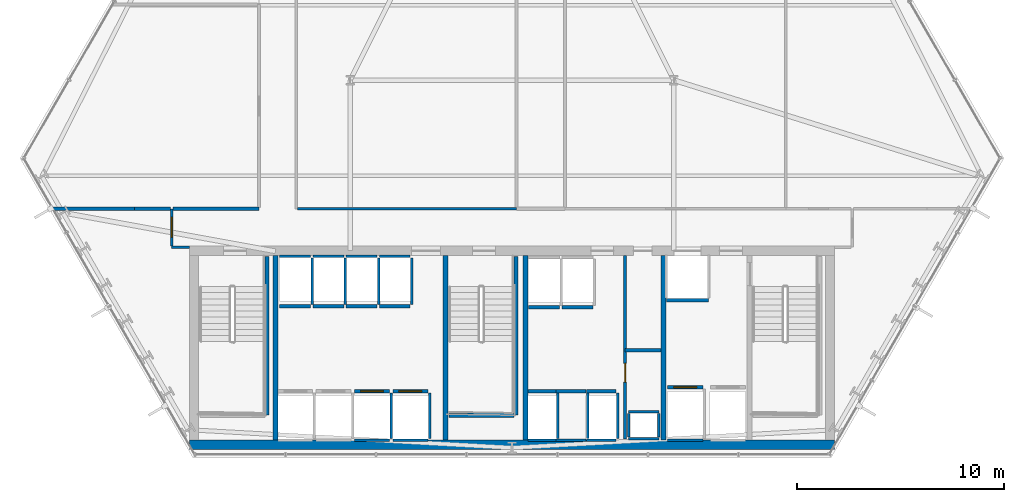
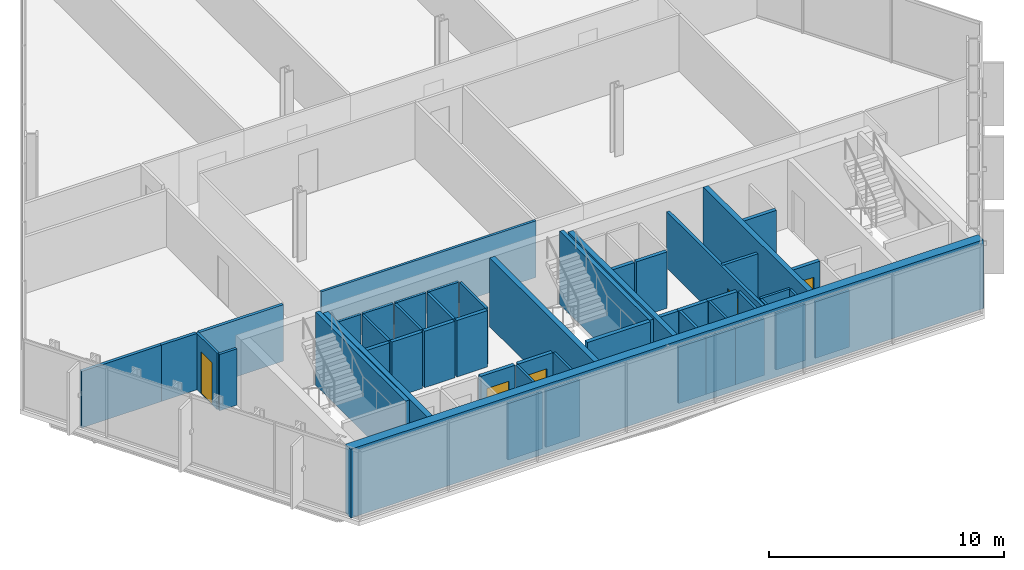
# One storey, part 27 of 33: 52 walls, 5 doors, 5 openings.
"""IFC4 building model written with IfcOpenShell, lengths in metres."""

from ifc_helpers import new_model, si_unit, direction, frame, frame_2d, origin, place, context, subcontext, project, spatial, rectangle, extrude, material, layer, layer_set, type_object, element, fill, save


model = new_model("IFC4")

# Units and contexts
model_context = context("Model", 3, precision=1e-05, world=origin(), true_north=direction((0.0, 1.0)))
body_context = subcontext(model_context, "Body", "Model", "MODEL_VIEW")
ifc_project = project(units=[si_unit("LENGTHUNIT", "METRE"), si_unit("AREAUNIT", "SQUARE_METRE"), si_unit("VOLUMEUNIT", "CUBIC_METRE"), si_unit("PLANEANGLEUNIT", "RADIAN"), si_unit("MASSUNIT", "GRAM", prefix="KILO")], contexts=[model_context])

# Site, building, storey
site_placement = place(None, origin())
site = spatial("IfcSite", under=ifc_project, at=site_placement, CompositionType="ELEMENT")
building_placement = place(site_placement, origin())
building = spatial("IfcBuilding", under=site, at=building_placement, Name="Ndaravel Arena Tower", CompositionType="ELEMENT")
storey_placement = place(building_placement, frame((0.0, 0.0, 36.0)))
storey = spatial("IfcBuildingStorey", under=building, at=storey_placement, Name="L06", CompositionType="ELEMENT", Elevation=36.0)

# Wall, opening, door
ifc_material_1 = material(Name="Gypsum", Category="gypsum")
ifc_layer_1 = layer(ifc_material_1, 0.14990234375)
ifc_layer_set_1 = layer_set([ifc_layer_1], Name="Gypsum")
wall_type_1 = type_object("IfcWallType", Name="WALL-COMP-150", PredefinedType="PARTITIONING", material=ifc_layer_set_1)
wall_1_placement = place(storey_placement, frame((47.449951171875, 5.89990234375, 0.0), z_axis=(0.0, 0.0, 1.0), x_axis=(0.0, 1.0, 0.0)))
wall_1 = element("IfcWall", 1, at=wall_1_placement, inside=storey, type_object=wall_type_1, Name="L06 Core Riser Bay Partition", PredefinedType="PARTITIONING", context=body_context, shape_type="SweptSolid", body=[
    extrude(rectangle(XDim=8.85009765625, YDim=0.14990234375, at=frame_2d((4.425048828125, 0.0))), origin(), (0.0, 0.0, 1.0), 2.932861328125),
])
opening_1_placement = place(wall_1_placement, frame((2.75, 0.0, 0.0)))
opening_1 = element("IfcOpeningElement", 2, at=opening_1_placement, cuts=wall_1, Name="Opening RD-01", PredefinedType="OPENING", context=body_context, shape_type="SweptSolid", body=[
    extrude(rectangle(XDim=0.89990234375, YDim=2.10009765625, at=frame_2d((0.449951171875, 1.050048828125))), frame((0.0, 0.074951171875, 0.0), z_axis=(0.0, -1.0, 0.0), x_axis=(1.0, 0.0, 0.0)), (0.0, 0.0, 1.0), 0.14990234375),
])
ifc_material_2 = material(Name="Steel S355", Category="steel")
door_type_1 = type_object("IfcDoorType", Name="DT-08-RISER-900", OperationType="SINGLE_SWING_LEFT", PredefinedType="DOOR", material=ifc_material_2)
door_1_placement = place(opening_1_placement, origin())
door_1 = element("IfcDoor", 3, at=door_1_placement, inside=storey, type_object=door_type_1, Name="L06 Electrical Riser Door", OperationType="SINGLE_SWING_RIGHT", OverallHeight=2.10009765625, OverallWidth=0.89990234375, PredefinedType="DOOR", context=body_context, shape_type="SweptSolid", body=[
    extrude(rectangle(XDim=0.89990234375, YDim=2.10009765625, at=frame_2d((0.449951171875, 1.050048828125))), frame((0.0, 0.02490234375, 0.0), z_axis=(0.0, -1.0, 0.0), x_axis=(1.0, 0.0, 0.0)), (0.0, 0.0, 1.0), 0.050048828125),
])
fill(opening_1, door_1)

# Walls
wall_2_placement = place(storey_placement, frame((47.449951171875, 10.179931640625, 0.0), z_axis=(0.0, 0.0, 1.0), x_axis=(1.0, 0.0, 0.0)))
element("IfcWall", 4, at=wall_2_placement, inside=storey, type_object=wall_type_1, Name="L06 Core Riser Divider 1", PredefinedType="PARTITIONING", context=body_context, shape_type="SweptSolid", body=[
    extrude(rectangle(XDim=1.72998046875, YDim=0.14990234375, at=frame_2d((0.864990234375, 0.0))), origin(), (0.0, 0.0, 1.0), 2.932861328125),
])
ifc_material_3 = material(Name="Concrete C60/75", Category="concrete")
ifc_layer_2 = layer(ifc_material_3, 0.25)
ifc_layer_set_2 = layer_set([ifc_layer_2], Name="Concrete C60/75")
wall_type_2 = type_object("IfcWallType", Name="WALL-CORE-250", PredefinedType="SOLIDWALL", material=ifc_layer_set_2)
for number, where, z_axis, x_axis, name in (
    (5, (30.60009765625, 5.85009765625, 0.0), (0.0, 0.0, 1.0), (0.0, 1.0, 0.0), "L06 Core Web Shear Wall 1"),
    (6, (38.800048828125, 5.85009765625, 0.0), (0.0, 0.0, 1.0), (0.0, 1.0, 0.0), "L06 Core Web Shear Wall 2"),
    (7, (42.64990234375, 5.85009765625, 0.0), (0.0, 0.0, 1.0), (0.0, 1.0, 0.0), "L06 Core Web Shear Wall 3"),
    (8, (49.300048828125, 5.85009765625, 0.0), (0.0, 0.0, 1.0), (0.0, 1.0, 0.0), "L06 Core Web Shear Wall 4"),
):
    element("IfcWall", number, at=place(storey_placement, frame(where, z_axis=z_axis, x_axis=x_axis)), inside=storey, type_object=wall_type_2, Name=name, PredefinedType="SOLIDWALL", context=body_context, shape_type="SweptSolid", body=[
        extrude(rectangle(XDim=8.89990234375, YDim=0.25, at=frame_2d((4.449951171875, 0.0))), origin(), (0.0, 0.0, 1.0), 3.580078125),
    ])
ifc_material_4 = material(Name="Concrete C60/75", Category="concrete")
ifc_layer_3 = layer(ifc_material_4, 0.449951171875)
ifc_layer_set_3 = layer_set([ifc_layer_3], Name="Concrete C60/75")
wall_type_3 = type_object("IfcWallType", Name="WALL-CORE-450", PredefinedType="SOLIDWALL", material=ifc_layer_set_3)
wall_3_placement = place(storey_placement, frame((26.449951171875, 5.625, 0.0), z_axis=(0.0, 0.0, 1.0), x_axis=(1.0, 0.0, 0.0)))
element("IfcWall", 9, at=wall_3_placement, inside=storey, type_object=wall_type_3, Name="L06 Core South Shear Wall", PredefinedType="SOLIDWALL", context=body_context, shape_type="SweptSolid", body=[
    extrude(rectangle(XDim=31.10009765625, YDim=0.449951171875, at=frame_2d((15.550048828125, 0.0))), origin(), (0.0, 0.0, 1.0), 3.580078125),
])
ifc_material_5 = material(Name="Gypsum", Category="gypsum")
ifc_layer_4 = layer(ifc_material_5, 0.125)
ifc_layer_set_4 = layer_set([ifc_layer_4], Name="Gypsum")
wall_type_4 = type_object("IfcWallType", Name="WALL-PART-125", PredefinedType="PARTITIONING", material=ifc_layer_set_4)
wall_4_placement = place(storey_placement, frame((26.449951171875, 15.14990234375, 0.0), z_axis=(0.0, 0.0, 1.0), x_axis=(-1.0, 0.0, 0.0)))
element("IfcWall", 10, at=wall_4_placement, inside=storey, type_object=wall_type_4, Name="L06 Interior Partition 003", PredefinedType="PARTITIONING", context=body_context, shape_type="SweptSolid", body=[
    extrude(rectangle(XDim=0.849853515625, YDim=0.125, at=frame_2d((0.4248046875, 0.0))), origin(), (0.0, 0.0, 1.0), 2.932861328125),
])

# Wall, opening, door
wall_5_placement = place(storey_placement, frame((25.60009765625, 15.215087890625, 0.0), z_axis=(0.0, 0.0, 1.0), x_axis=(0.0, 1.0, 0.0)))
wall_5 = element("IfcWall", 11, at=wall_5_placement, inside=storey, type_object=wall_type_4, Name="L06 Interior Partition 004", PredefinedType="PARTITIONING", context=body_context, shape_type="SweptSolid", body=[
    extrude(rectangle(XDim=1.784912109375, YDim=0.125, at=frame_2d((0.892578125, 0.0))), origin(), (0.0, 0.0, 1.0), 2.932861328125),
])
opening_2_placement = place(wall_5_placement, frame((0.41748046875, 0.0, 0.0)))
opening_2 = element("IfcOpeningElement", 12, at=opening_2_placement, cuts=wall_5, Name="Opening ID-01", PredefinedType="OPENING", context=body_context, shape_type="SweptSolid", body=[
    extrude(rectangle(XDim=0.949951171875, YDim=2.199951171875, at=frame_2d((0.47509765625, 1.10009765625))), frame((0.0, 0.0625, 0.0), z_axis=(0.0, -1.0, 0.0), x_axis=(1.0, 0.0, 0.0)), (0.0, 0.0, 1.0), 0.125),
])
ifc_material_6 = material(Name="Timber", Category="wood")
door_type_2 = type_object("IfcDoorType", Name="DT-03-OFFICE-950", OperationType="SINGLE_SWING_LEFT", PredefinedType="DOOR", material=ifc_material_6)
door_2_placement = place(opening_2_placement, origin())
door_2 = element("IfcDoor", 13, at=door_2_placement, inside=storey, type_object=door_type_2, Name="L06 Open Plan Workplace Door", OperationType="SINGLE_SWING_LEFT", OverallHeight=2.199951171875, OverallWidth=0.949951171875, PredefinedType="DOOR", context=body_context, shape_type="SweptSolid", body=[
    extrude(rectangle(XDim=0.949951171875, YDim=2.199951171875, at=frame_2d((0.47509765625, 1.10009765625))), frame((0.0, 0.02490234375, 0.0), z_axis=(0.0, -1.0, 0.0), x_axis=(1.0, 0.0, 0.0)), (0.0, 0.0, 1.0), 0.050048828125),
])
fill(opening_2, door_2)

# Walls
wall_6_placement = place(storey_placement, frame((31.6650390625, 17.0, 0.0), z_axis=(0.0, 0.0, 1.0), x_axis=(1.0, 0.0, 0.0)))
element("IfcWall", 14, at=wall_6_placement, inside=storey, type_object=wall_type_4, Name="L06 Interior Partition 018", PredefinedType="PARTITIONING", context=body_context, shape_type="SweptSolid", body=[
    extrude(rectangle(XDim=10.554931640625, YDim=0.125, at=frame_2d((5.27734375, 0.0))), origin(), (0.0, 0.0, 1.0), 2.932861328125),
])
ifc_material_7 = material(Name="Concrete C40/50", Category="concrete")
ifc_layer_5 = layer(ifc_material_7, 0.1201171875)
ifc_layer_set_5 = layer_set([ifc_layer_5], Name="Concrete C40/50")
wall_type_5 = type_object("IfcWallType", Name="WALL-SHAFT-120", PredefinedType="SOLIDWALL", material=ifc_layer_set_5)
for number, where, z_axis, x_axis, name in (
    (15, (47.6201171875, 5.919921875, 0.0), (0.0, 0.0, 1.0), (1.0, 0.0, 0.0), "L06 MEP Riser Shaft S Wall"),
    (16, (47.6201171875, 7.219970703125, 0.0), (0.0, 0.0, 1.0), (1.0, 0.0, 0.0), "L06 MEP Riser Shaft N Wall"),
):
    element("IfcWall", number, at=place(storey_placement, frame(where, z_axis=z_axis, x_axis=x_axis)), inside=storey, type_object=wall_type_5, Name=name, PredefinedType="SOLIDWALL", context=body_context, shape_type="SweptSolid", body=[
        extrude(rectangle(XDim=1.4599609375, YDim=0.1201171875, at=frame_2d((0.72998046875, 0.0))), origin(), (0.0, 0.0, 1.0), 2.932861328125),
    ])
for number, where, z_axis, x_axis, name in (
    (17, (47.6201171875, 6.0, 0.0), (0.0, 0.0, 1.0), (0.0, 1.0, 0.0), "L06 MEP Riser Shaft W Wall"),
    (18, (49.080078125, 6.0, 0.0), (0.0, 0.0, 1.0), (0.0, 1.0, 0.0), "L06 MEP Riser Shaft E Wall"),
):
    element("IfcWall", number, at=place(storey_placement, frame(where, z_axis=z_axis, x_axis=x_axis)), inside=storey, type_object=wall_type_5, Name=name, PredefinedType="SOLIDWALL", context=body_context, shape_type="SweptSolid", body=[
        extrude(rectangle(XDim=1.139892578125, YDim=0.1201171875, at=frame_2d((0.56982421875, 0.0))), origin(), (0.0, 0.0, 1.0), 2.932861328125),
    ])
wall_7_placement = place(storey_placement, frame((34.405029296875, 5.840087890625, 0.0), z_axis=(0.0, 0.0, 1.0), x_axis=(1.0, 0.0, 0.0)))
element("IfcWall", 19, at=wall_7_placement, inside=storey, type_object=wall_type_5, Name="L06 PL-L3 Shaft Rear Wall", PredefinedType="SOLIDWALL", context=body_context, shape_type="SweptSolid", body=[
    extrude(rectangle(XDim=1.68994140625, YDim=0.1201171875, at=frame_2d((0.844970703125, 0.0))), origin(), (0.0, 0.0, 1.0), 2.932861328125),
])
wall_8_placement = place(storey_placement, frame((36.175048828125, 5.929931640625, 0.0), z_axis=(0.0, 0.0, 1.0), x_axis=(0.0, 1.0, 0.0)))
element("IfcWall", 20, at=wall_8_placement, inside=storey, type_object=wall_type_5, Name="L06 PL-L3 Shaft Side R Wall", PredefinedType="SOLIDWALL", context=body_context, shape_type="SweptSolid", body=[
    extrude(rectangle(XDim=2.18017578125, YDim=0.1201171875, at=frame_2d((1.090087890625, 0.0))), origin(), (0.0, 0.0, 1.0), 2.932861328125),
])
wall_9_placement = place(storey_placement, frame((36.2548828125, 5.840087890625, 0.0), z_axis=(0.0, 0.0, 1.0), x_axis=(1.0, 0.0, 0.0)))
element("IfcWall", 21, at=wall_9_placement, inside=storey, type_object=wall_type_5, Name="L06 PL-L4 Shaft Rear Wall", PredefinedType="SOLIDWALL", context=body_context, shape_type="SweptSolid", body=[
    extrude(rectangle(XDim=1.690185546875, YDim=0.1201171875, at=frame_2d((0.84521484375, 0.0))), origin(), (0.0, 0.0, 1.0), 2.932861328125),
])
wall_10_placement = place(storey_placement, frame((38.02490234375, 5.929931640625, 0.0), z_axis=(0.0, 0.0, 1.0), x_axis=(0.0, 1.0, 0.0)))
element("IfcWall", 22, at=wall_10_placement, inside=storey, type_object=wall_type_5, Name="L06 PL-L4 Shaft Side R Wall", PredefinedType="SOLIDWALL", context=body_context, shape_type="SweptSolid", body=[
    extrude(rectangle(XDim=2.18017578125, YDim=0.1201171875, at=frame_2d((1.090087890625, 0.0))), origin(), (0.0, 0.0, 1.0), 2.932861328125),
])
wall_11_placement = place(storey_placement, frame((30.804931640625, 14.7099609375, 0.0), z_axis=(0.0, 0.0, 1.0), x_axis=(1.0, 0.0, 0.0)))
element("IfcWall", 23, at=wall_11_placement, inside=storey, type_object=wall_type_5, Name="L06 PL-M1 Shaft Rear Wall", PredefinedType="SOLIDWALL", context=body_context, shape_type="SweptSolid", body=[
    extrude(rectangle(XDim=1.489990234375, YDim=0.1201171875, at=frame_2d((0.7451171875, 0.0))), origin(), (0.0, 0.0, 1.0), 2.932861328125),
])
wall_12_placement = place(storey_placement, frame((32.375, 12.389892578125, 0.0), z_axis=(0.0, 0.0, 1.0), x_axis=(0.0, 1.0, 0.0)))
element("IfcWall", 24, at=wall_12_placement, inside=storey, type_object=wall_type_5, Name="L06 PL-M1 Shaft Side R Wall", PredefinedType="SOLIDWALL", context=body_context, shape_type="SweptSolid", body=[
    extrude(rectangle(XDim=2.230224609375, YDim=0.1201171875, at=frame_2d((1.115234375, 0.0))), origin(), (0.0, 0.0, 1.0), 2.932861328125),
])
wall_13_placement = place(storey_placement, frame((32.405029296875, 14.7099609375, 0.0), z_axis=(0.0, 0.0, 1.0), x_axis=(1.0, 0.0, 0.0)))
element("IfcWall", 25, at=wall_13_placement, inside=storey, type_object=wall_type_5, Name="L06 PL-M2 Shaft Rear Wall", PredefinedType="SOLIDWALL", context=body_context, shape_type="SweptSolid", body=[
    extrude(rectangle(XDim=1.489990234375, YDim=0.1201171875, at=frame_2d((0.7451171875, 0.0))), origin(), (0.0, 0.0, 1.0), 2.932861328125),
])
wall_14_placement = place(storey_placement, frame((33.97509765625, 12.389892578125, 0.0), z_axis=(0.0, 0.0, 1.0), x_axis=(0.0, 1.0, 0.0)))
element("IfcWall", 26, at=wall_14_placement, inside=storey, type_object=wall_type_5, Name="L06 PL-M2 Shaft Side R Wall", PredefinedType="SOLIDWALL", context=body_context, shape_type="SweptSolid", body=[
    extrude(rectangle(XDim=2.230224609375, YDim=0.1201171875, at=frame_2d((1.115234375, 0.0))), origin(), (0.0, 0.0, 1.0), 2.932861328125),
])
wall_15_placement = place(storey_placement, frame((34.0048828125, 14.7099609375, 0.0), z_axis=(0.0, 0.0, 1.0), x_axis=(1.0, 0.0, 0.0)))
element("IfcWall", 27, at=wall_15_placement, inside=storey, type_object=wall_type_5, Name="L06 PL-M3 Shaft Rear Wall", PredefinedType="SOLIDWALL", context=body_context, shape_type="SweptSolid", body=[
    extrude(rectangle(XDim=1.490234375, YDim=0.1201171875, at=frame_2d((0.7451171875, 0.0))), origin(), (0.0, 0.0, 1.0), 2.932861328125),
])
wall_16_placement = place(storey_placement, frame((35.574951171875, 12.389892578125, 0.0), z_axis=(0.0, 0.0, 1.0), x_axis=(0.0, 1.0, 0.0)))
element("IfcWall", 28, at=wall_16_placement, inside=storey, type_object=wall_type_5, Name="L06 PL-M3 Shaft Side R Wall", PredefinedType="SOLIDWALL", context=body_context, shape_type="SweptSolid", body=[
    extrude(rectangle(XDim=2.230224609375, YDim=0.1201171875, at=frame_2d((1.115234375, 0.0))), origin(), (0.0, 0.0, 1.0), 2.932861328125),
])
wall_17_placement = place(storey_placement, frame((35.60498046875, 14.7099609375, 0.0), z_axis=(0.0, 0.0, 1.0), x_axis=(1.0, 0.0, 0.0)))
element("IfcWall", 29, at=wall_17_placement, inside=storey, type_object=wall_type_5, Name="L06 PL-M4 Shaft Rear Wall", PredefinedType="SOLIDWALL", context=body_context, shape_type="SweptSolid", body=[
    extrude(rectangle(XDim=1.489990234375, YDim=0.1201171875, at=frame_2d((0.7451171875, 0.0))), origin(), (0.0, 0.0, 1.0), 2.932861328125),
])
wall_18_placement = place(storey_placement, frame((37.175048828125, 12.389892578125, 0.0), z_axis=(0.0, 0.0, 1.0), x_axis=(0.0, 1.0, 0.0)))
element("IfcWall", 30, at=wall_18_placement, inside=storey, type_object=wall_type_5, Name="L06 PL-M4 Shaft Side R Wall", PredefinedType="SOLIDWALL", context=body_context, shape_type="SweptSolid", body=[
    extrude(rectangle(XDim=2.230224609375, YDim=0.1201171875, at=frame_2d((1.115234375, 0.0))), origin(), (0.0, 0.0, 1.0), 2.932861328125),
])
wall_19_placement = place(storey_placement, frame((42.780029296875, 5.840087890625, 0.0), z_axis=(0.0, 0.0, 1.0), x_axis=(1.0, 0.0, 0.0)))
element("IfcWall", 31, at=wall_19_placement, inside=storey, type_object=wall_type_5, Name="L06 PL-H1 Shaft Rear Wall", PredefinedType="SOLIDWALL", context=body_context, shape_type="SweptSolid", body=[
    extrude(rectangle(XDim=1.340087890625, YDim=0.1201171875, at=frame_2d((0.669921875, 0.0))), origin(), (0.0, 0.0, 1.0), 2.932861328125),
])
wall_20_placement = place(storey_placement, frame((44.199951171875, 5.929931640625, 0.0), z_axis=(0.0, 0.0, 1.0), x_axis=(0.0, 1.0, 0.0)))
element("IfcWall", 32, at=wall_20_placement, inside=storey, type_object=wall_type_5, Name="L06 PL-H1 Shaft Side R Wall", PredefinedType="SOLIDWALL", context=body_context, shape_type="SweptSolid", body=[
    extrude(rectangle(XDim=2.18017578125, YDim=0.1201171875, at=frame_2d((1.090087890625, 0.0))), origin(), (0.0, 0.0, 1.0), 2.932861328125),
])
wall_21_placement = place(storey_placement, frame((44.1298828125, 5.840087890625, 0.0), z_axis=(0.0, 0.0, 1.0), x_axis=(1.0, 0.0, 0.0)))
element("IfcWall", 33, at=wall_21_placement, inside=storey, type_object=wall_type_5, Name="L06 PL-H2 Shaft Rear Wall", PredefinedType="SOLIDWALL", context=body_context, shape_type="SweptSolid", body=[
    extrude(rectangle(XDim=1.440185546875, YDim=0.1201171875, at=frame_2d((0.72021484375, 0.0))), origin(), (0.0, 0.0, 1.0), 2.932861328125),
])
wall_22_placement = place(storey_placement, frame((45.64990234375, 5.929931640625, 0.0), z_axis=(0.0, 0.0, 1.0), x_axis=(0.0, 1.0, 0.0)))
element("IfcWall", 34, at=wall_22_placement, inside=storey, type_object=wall_type_5, Name="L06 PL-H2 Shaft Side R Wall", PredefinedType="SOLIDWALL", context=body_context, shape_type="SweptSolid", body=[
    extrude(rectangle(XDim=2.18017578125, YDim=0.1201171875, at=frame_2d((1.090087890625, 0.0))), origin(), (0.0, 0.0, 1.0), 2.932861328125),
])
wall_23_placement = place(storey_placement, frame((45.580078125, 5.840087890625, 0.0), z_axis=(0.0, 0.0, 1.0), x_axis=(1.0, 0.0, 0.0)))
element("IfcWall", 35, at=wall_23_placement, inside=storey, type_object=wall_type_5, Name="L06 PL-H3 Shaft Rear Wall", PredefinedType="SOLIDWALL", context=body_context, shape_type="SweptSolid", body=[
    extrude(rectangle(XDim=1.43994140625, YDim=0.1201171875, at=frame_2d((0.719970703125, 0.0))), origin(), (0.0, 0.0, 1.0), 2.932861328125),
])
wall_24_placement = place(storey_placement, frame((47.10009765625, 5.929931640625, 0.0), z_axis=(0.0, 0.0, 1.0), x_axis=(0.0, 1.0, 0.0)))
element("IfcWall", 36, at=wall_24_placement, inside=storey, type_object=wall_type_5, Name="L06 PL-H3 Shaft Side R Wall", PredefinedType="SOLIDWALL", context=body_context, shape_type="SweptSolid", body=[
    extrude(rectangle(XDim=2.18017578125, YDim=0.1201171875, at=frame_2d((1.090087890625, 0.0))), origin(), (0.0, 0.0, 1.0), 2.932861328125),
])
wall_25_placement = place(storey_placement, frame((49.5048828125, 5.840087890625, 0.0), z_axis=(0.0, 0.0, 1.0), x_axis=(1.0, 0.0, 0.0)))
element("IfcWall", 37, at=wall_25_placement, inside=storey, type_object=wall_type_5, Name="L06 FFL-1 Shaft Rear Wall", PredefinedType="SOLIDWALL", context=body_context, shape_type="SweptSolid", body=[
    extrude(rectangle(XDim=1.690185546875, YDim=0.1201171875, at=frame_2d((0.84521484375, 0.0))), origin(), (0.0, 0.0, 1.0), 2.932861328125),
])
ifc_material_8 = material(Name="Concrete C40/50", Category="concrete")
ifc_layer_6 = layer(ifc_material_8, 0.199951171875)
ifc_layer_set_6 = layer_set([ifc_layer_6], Name="Concrete C40/50")
wall_type_6 = type_object("IfcWallType", Name="WALL-SHAFT-200", PredefinedType="SOLIDWALL", material=ifc_layer_set_6)
for number, where, z_axis, x_axis, name in (
    (38, (30.18994140625, 14.699951171875, 0.0), (0.0, 0.0, 1.0), (0.0, -1.0, 0.0), "L06 ST-1 Structural Shaft Wall Right"),
    (39, (42.18994140625, 14.699951171875, 0.0), (0.0, 0.0, 1.0), (0.0, -1.0, 0.0), "L06 ST-2 Structural Shaft Wall Right"),
):
    element("IfcWall", number, at=place(storey_placement, frame(where, z_axis=z_axis, x_axis=x_axis)), inside=storey, type_object=wall_type_6, Name=name, PredefinedType="SOLIDWALL", context=body_context, shape_type="SweptSolid", body=[
        extrude(rectangle(XDim=7.64990234375, YDim=0.199951171875, at=frame_2d((3.824951171875, 0.0))), origin(), (0.0, 0.0, 1.0), 3.800048828125),
    ])
wall_26_placement = place(storey_placement, frame((38.969970703125, 7.050048828125, 0.0), z_axis=(0.0, 0.0, 1.0), x_axis=(1.0, 0.0, 0.0)))
element("IfcWall", 40, at=wall_26_placement, inside=storey, type_object=wall_type_6, Name="L06 ST-2 Structural Shaft Wall Far", PredefinedType="SOLIDWALL", context=body_context, shape_type="SweptSolid", body=[
    extrude(rectangle(XDim=3.114990234375, YDim=0.199951171875, at=frame_2d((1.5576171875, 0.0))), origin(), (0.0, 0.0, 1.0), 3.800048828125),
])

# Wall, opening, door
wall_27_placement = place(storey_placement, frame((34.405029296875, 8.199951171875, 0.0), z_axis=(0.0, 0.0, 1.0), x_axis=(1.0, 0.0, 0.0)))
wall_27 = element("IfcWall", 41, at=wall_27_placement, inside=storey, type_object=wall_type_6, Name="L06 PL-L3 Shaft Landing Wall", PredefinedType="SOLIDWALL", context=body_context, shape_type="SweptSolid", body=[
    extrude(rectangle(XDim=1.68994140625, YDim=0.179931640625, at=frame_2d((0.844970703125, 0.0))), origin(), (0.0, 0.0, 1.0), 2.932861328125),
])
opening_3_placement = place(wall_27_placement, frame((0.294921875, 0.0, 0.0)))
opening_3 = element("IfcOpeningElement", 42, at=opening_3_placement, cuts=wall_27, Name="Opening LD-01", PredefinedType="OPENING", context=body_context, shape_type="SweptSolid", body=[
    extrude(rectangle(XDim=1.10009765625, YDim=2.199951171875, at=frame_2d((0.550048828125, 1.10009765625))), frame((0.0, 0.08984375, 0.0), z_axis=(0.0, -1.0, 0.0), x_axis=(1.0, 0.0, 0.0)), (0.0, 0.0, 1.0), 0.179931640625),
])
ifc_material_9 = material(Name="Steel S355", Category="steel")
door_type_3 = type_object("IfcDoorType", Name="DT-06-LIFT-1100", OperationType="SLIDING_TO_LEFT", PredefinedType="DOOR", material=ifc_material_9)
door_3_placement = place(opening_3_placement, origin())
door_3 = element("IfcDoor", 43, at=door_3_placement, inside=storey, type_object=door_type_3, Name="L06 Lift PL-L3 Sliding Landing Door", OperationType="SLIDING_TO_LEFT", OverallHeight=2.199951171875, OverallWidth=1.10009765625, PredefinedType="DOOR", context=body_context, shape_type="SweptSolid", body=[
    extrude(rectangle(XDim=1.10009765625, YDim=2.199951171875, at=frame_2d((0.550048828125, 1.10009765625))), frame((0.0, 0.02490234375, 0.0), z_axis=(0.0, -1.0, 0.0), x_axis=(1.0, 0.0, 0.0)), (0.0, 0.0, 1.0), 0.050048828125),
])
fill(opening_3, door_3)

wall_28_placement = place(storey_placement, frame((36.2548828125, 8.199951171875, 0.0), z_axis=(0.0, 0.0, 1.0), x_axis=(1.0, 0.0, 0.0)))
wall_28 = element("IfcWall", 44, at=wall_28_placement, inside=storey, type_object=wall_type_6, Name="L06 PL-L4 Shaft Landing Wall", PredefinedType="SOLIDWALL", context=body_context, shape_type="SweptSolid", body=[
    extrude(rectangle(XDim=1.690185546875, YDim=0.179931640625, at=frame_2d((0.84521484375, 0.0))), origin(), (0.0, 0.0, 1.0), 2.932861328125),
])
opening_4_placement = place(wall_28_placement, frame((0.294921875, 0.0, 0.0)))
opening_4 = element("IfcOpeningElement", 45, at=opening_4_placement, cuts=wall_28, Name="Opening LD-01", PredefinedType="OPENING", context=body_context, shape_type="SweptSolid", body=[
    extrude(rectangle(XDim=1.10009765625, YDim=2.199951171875, at=frame_2d((0.550048828125, 1.10009765625))), frame((0.0, 0.08984375, 0.0), z_axis=(0.0, -1.0, 0.0), x_axis=(1.0, 0.0, 0.0)), (0.0, 0.0, 1.0), 0.179931640625),
])
door_4_placement = place(opening_4_placement, origin())
door_4 = element("IfcDoor", 46, at=door_4_placement, inside=storey, type_object=door_type_3, Name="L06 Lift PL-L4 Sliding Landing Door", OperationType="SLIDING_TO_LEFT", OverallHeight=2.199951171875, OverallWidth=1.10009765625, PredefinedType="DOOR", context=body_context, shape_type="SweptSolid", body=[
    extrude(rectangle(XDim=1.10009765625, YDim=2.199951171875, at=frame_2d((0.550048828125, 1.10009765625))), frame((0.0, 0.02490234375, 0.0), z_axis=(0.0, -1.0, 0.0), x_axis=(1.0, 0.0, 0.0)), (0.0, 0.0, 1.0), 0.050048828125),
])
fill(opening_4, door_4)

# Walls
for number, where, z_axis, x_axis, name in (
    (47, (30.804931640625, 12.300048828125, 0.0), (0.0, 0.0, 1.0), (1.0, 0.0, 0.0), "L06 PL-M1 Shaft Landing Wall"),
    (48, (32.405029296875, 12.300048828125, 0.0), (0.0, 0.0, 1.0), (1.0, 0.0, 0.0), "L06 PL-M2 Shaft Landing Wall"),
):
    element("IfcWall", number, at=place(storey_placement, frame(where, z_axis=z_axis, x_axis=x_axis)), inside=storey, type_object=wall_type_6, Name=name, PredefinedType="SOLIDWALL", context=body_context, shape_type="SweptSolid", body=[
        extrude(rectangle(XDim=1.489990234375, YDim=0.179931640625, at=frame_2d((0.7451171875, 0.0))), origin(), (0.0, 0.0, 1.0), 2.932861328125),
    ])
wall_29_placement = place(storey_placement, frame((34.0048828125, 12.300048828125, 0.0), z_axis=(0.0, 0.0, 1.0), x_axis=(1.0, 0.0, 0.0)))
element("IfcWall", 49, at=wall_29_placement, inside=storey, type_object=wall_type_6, Name="L06 PL-M3 Shaft Landing Wall", PredefinedType="SOLIDWALL", context=body_context, shape_type="SweptSolid", body=[
    extrude(rectangle(XDim=1.490234375, YDim=0.179931640625, at=frame_2d((0.7451171875, 0.0))), origin(), (0.0, 0.0, 1.0), 2.932861328125),
])
wall_30_placement = place(storey_placement, frame((35.60498046875, 12.300048828125, 0.0), z_axis=(0.0, 0.0, 1.0), x_axis=(1.0, 0.0, 0.0)))
element("IfcWall", 50, at=wall_30_placement, inside=storey, type_object=wall_type_6, Name="L06 PL-M4 Shaft Landing Wall", PredefinedType="SOLIDWALL", context=body_context, shape_type="SweptSolid", body=[
    extrude(rectangle(XDim=1.489990234375, YDim=0.179931640625, at=frame_2d((0.7451171875, 0.0))), origin(), (0.0, 0.0, 1.0), 2.932861328125),
])
wall_31_placement = place(storey_placement, frame((42.780029296875, 8.199951171875, 0.0), z_axis=(0.0, 0.0, 1.0), x_axis=(1.0, 0.0, 0.0)))
element("IfcWall", 51, at=wall_31_placement, inside=storey, type_object=wall_type_6, Name="L06 PL-H1 Shaft Landing Wall", PredefinedType="SOLIDWALL", context=body_context, shape_type="SweptSolid", body=[
    extrude(rectangle(XDim=1.340087890625, YDim=0.179931640625, at=frame_2d((0.669921875, 0.0))), origin(), (0.0, 0.0, 1.0), 2.932861328125),
])
wall_32_placement = place(storey_placement, frame((44.1298828125, 8.199951171875, 0.0), z_axis=(0.0, 0.0, 1.0), x_axis=(1.0, 0.0, 0.0)))
element("IfcWall", 52, at=wall_32_placement, inside=storey, type_object=wall_type_6, Name="L06 PL-H2 Shaft Landing Wall", PredefinedType="SOLIDWALL", context=body_context, shape_type="SweptSolid", body=[
    extrude(rectangle(XDim=1.440185546875, YDim=0.179931640625, at=frame_2d((0.72021484375, 0.0))), origin(), (0.0, 0.0, 1.0), 2.932861328125),
])
wall_33_placement = place(storey_placement, frame((45.580078125, 8.199951171875, 0.0), z_axis=(0.0, 0.0, 1.0), x_axis=(1.0, 0.0, 0.0)))
element("IfcWall", 53, at=wall_33_placement, inside=storey, type_object=wall_type_6, Name="L06 PL-H3 Shaft Landing Wall", PredefinedType="SOLIDWALL", context=body_context, shape_type="SweptSolid", body=[
    extrude(rectangle(XDim=1.43994140625, YDim=0.179931640625, at=frame_2d((0.719970703125, 0.0))), origin(), (0.0, 0.0, 1.0), 2.932861328125),
])
for number, where, z_axis, x_axis, name in (
    (54, (42.804931640625, 12.25, 0.0), (0.0, 0.0, 1.0), (1.0, 0.0, 0.0), "L06 PL-OBS1 Shaft Landing Wall"),
    (55, (44.405029296875, 12.25, 0.0), (0.0, 0.0, 1.0), (1.0, 0.0, 0.0), "L06 PL-OBS2 Shaft Landing Wall"),
):
    element("IfcWall", number, at=place(storey_placement, frame(where, z_axis=z_axis, x_axis=x_axis)), inside=storey, type_object=wall_type_6, Name=name, PredefinedType="SOLIDWALL", context=body_context, shape_type="SweptSolid", body=[
        extrude(rectangle(XDim=1.489990234375, YDim=0.179931640625, at=frame_2d((0.7451171875, 0.0))), origin(), (0.0, 0.0, 1.0), 2.932861328125),
    ])

# Wall, opening, door
wall_34_placement = place(storey_placement, frame((49.5048828125, 8.39990234375, 0.0), z_axis=(0.0, 0.0, 1.0), x_axis=(1.0, 0.0, 0.0)))
wall_34 = element("IfcWall", 56, at=wall_34_placement, inside=storey, type_object=wall_type_6, Name="L06 FFL-1 Shaft Landing Wall", PredefinedType="SOLIDWALL", context=body_context, shape_type="SweptSolid", body=[
    extrude(rectangle(XDim=1.690185546875, YDim=0.179931640625, at=frame_2d((0.84521484375, 0.0))), origin(), (0.0, 0.0, 1.0), 2.932861328125),
])
opening_5_placement = place(wall_34_placement, frame((0.294921875, 0.0, 0.0)))
opening_5 = element("IfcOpeningElement", 57, at=opening_5_placement, cuts=wall_34, Name="Opening LD-01", PredefinedType="OPENING", context=body_context, shape_type="SweptSolid", body=[
    extrude(rectangle(XDim=1.10009765625, YDim=2.199951171875, at=frame_2d((0.550048828125, 1.10009765625))), frame((0.0, 0.08984375, 0.0), z_axis=(0.0, -1.0, 0.0), x_axis=(1.0, 0.0, 0.0)), (0.0, 0.0, 1.0), 0.179931640625),
])
door_5_placement = place(opening_5_placement, origin())
door_5 = element("IfcDoor", 58, at=door_5_placement, inside=storey, type_object=door_type_3, Name="L06 Lift FFL-1 Sliding Landing Door", OperationType="SLIDING_TO_LEFT", OverallHeight=2.199951171875, OverallWidth=1.10009765625, PredefinedType="DOOR", context=body_context, shape_type="SweptSolid", body=[
    extrude(rectangle(XDim=1.10009765625, YDim=2.199951171875, at=frame_2d((0.550048828125, 1.10009765625))), frame((0.0, 0.02490234375, 0.0), z_axis=(0.0, -1.0, 0.0), x_axis=(1.0, 0.0, 0.0)), (0.0, 0.0, 1.0), 0.050048828125),
])
fill(opening_5, door_5)

# Walls
wall_35_placement = place(storey_placement, frame((49.43994140625, 12.594970703125, 0.0), z_axis=(0.0, 0.0, 1.0), x_axis=(1.0, 0.0, 0.0)))
element("IfcWall", 59, at=wall_35_placement, inside=storey, type_object=wall_type_6, Name="L06 SVL-1 Shaft South Wall", PredefinedType="SOLIDWALL", context=body_context, shape_type="SweptSolid", body=[
    extrude(rectangle(XDim=2.0400390625, YDim=0.179931640625, at=frame_2d((1.02001953125, 0.0))), origin(), (0.0, 0.0, 1.0), 2.932861328125),
])
ifc_material_10 = material(Name="Masonry", Category="masonry")
ifc_layer_7 = layer(ifc_material_10, 0.14990234375)
ifc_layer_set_7 = layer_set([ifc_layer_7], Name="Masonry")
wall_type_7 = type_object("IfcWallType", Name="WALL-WET-150", PredefinedType="PARTITIONING", material=ifc_layer_set_7)
wall_36_placement = place(storey_placement, frame((25.6650390625, 17.0, 0.0), z_axis=(0.0, 0.0, 1.0), x_axis=(1.0, 0.0, 0.0)))
element("IfcWall", 60, at=wall_36_placement, inside=storey, type_object=wall_type_7, Name="L06 Interior Partition 005", PredefinedType="PARTITIONING", context=body_context, shape_type="SweptSolid", body=[
    extrude(rectangle(XDim=4.135009765625, YDim=0.14990234375, at=frame_2d((2.0673828125, 0.0))), origin(), (0.0, 0.0, 1.0), 2.932861328125),
])
wall_37_placement = place(storey_placement, frame((19.8759765625, 17.0, 0.0), z_axis=(0.0, 0.0, 1.0), x_axis=(1.0, 0.0, 0.0)))
element("IfcWall", 61, at=wall_37_placement, inside=storey, type_object=wall_type_7, Name="L06 Interior Partition 022", PredefinedType="PARTITIONING", context=body_context, shape_type="SweptSolid", body=[
    extrude(rectangle(XDim=3.924072265625, YDim=0.14990234375, at=frame_2d((1.9619140625, 0.0))), origin(), (0.0, 0.0, 1.0), 2.932861328125),
])
wall_38_placement = place(storey_placement, frame((23.800048828125, 17.0, 0.0), z_axis=(0.0, 0.0, 1.0), x_axis=(1.0, 0.0, 0.0)))
element("IfcWall", 62, at=wall_38_placement, inside=storey, type_object=wall_type_7, Name="L06 Interior Partition 023", PredefinedType="PARTITIONING", context=body_context, shape_type="SweptSolid", body=[
    extrude(rectangle(XDim=1.73486328125, YDim=0.14990234375, at=frame_2d((0.867431640625, 0.0))), origin(), (0.0, 0.0, 1.0), 2.932861328125),
])

save(model, "model.ifc")
